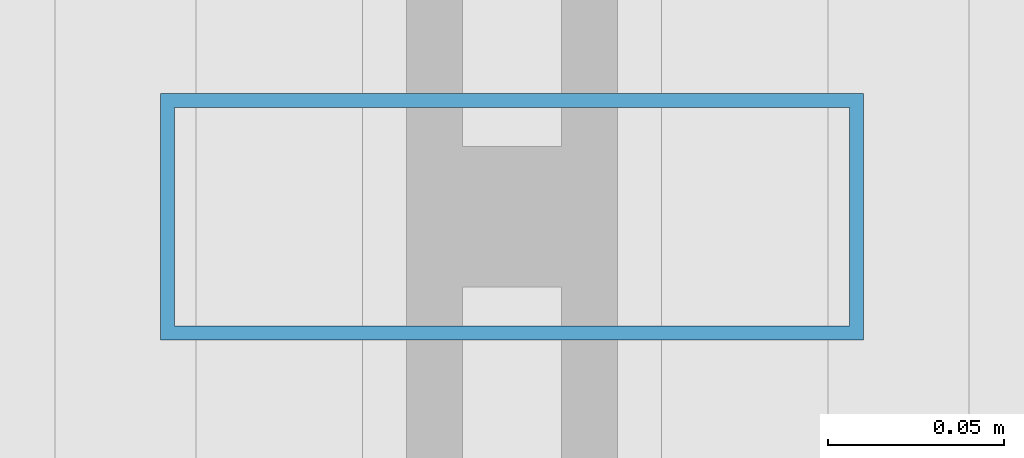
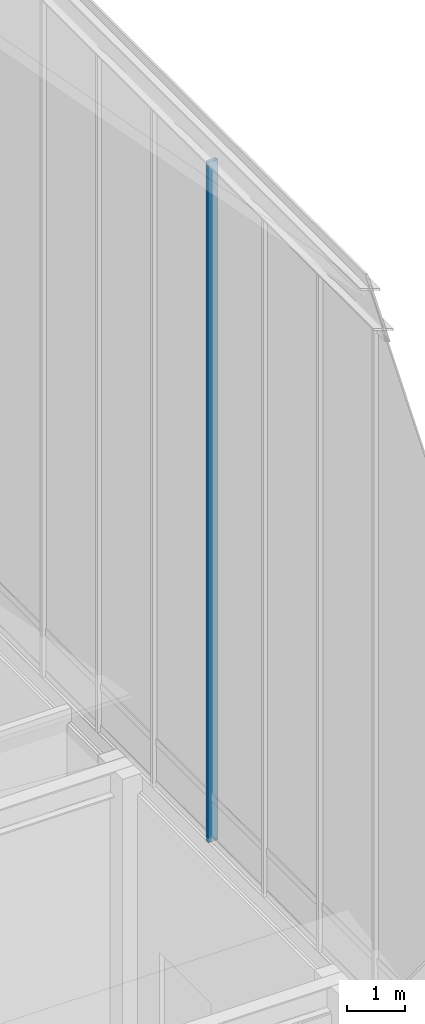
# One storey, part 35 of 49: 1 member, 1 element without a shape of its own.
"""IFC4 building model written with IfcOpenShell, lengths in metres."""

import ifcopenshell
import ifcopenshell.guid

model = None  # the IFC model being written
_history = None  # IfcOwnerHistory: only IFC2X3 demands one
_inside = {}  # id of a spatial element -> (the spatial element, [elements in it])
_under = {}  # id of a project, library or spatial element -> (it, [spatial elements below it])
_declared = {}  # id of a project -> (the project, [libraries it declares])
_typed = {}  # id of a type object -> (the type object, [elements of that type])
_made_of = {}  # id of a material, layer set ... -> (it, [elements and type objects made of it])


def new_model(schema):
    """Start an empty IFC model of exactly this schema.

    Asked for "IFC4X3", IfcOpenShell would pick the latest addendum, in which some entities
    have other attributes; the version numbers below select the first issue.
    IFC2X3 requires an IfcOwnerHistory on every rooted entity: one is made here for all.
    """
    global model, _history
    if schema == "IFC4X3":
        model = ifcopenshell.file(schema_version=(4, 3, 0, 0))
    else:
        model = ifcopenshell.file(schema=schema)
    _inside.clear()
    _under.clear()
    _declared.clear()
    _typed.clear()
    _made_of.clear()
    _history = None
    if model.schema == "IFC2X3":
        org = make("IfcOrganization", Name="unknown")
        user = make(
            "IfcPersonAndOrganization",
            ThePerson=make("IfcPerson", FamilyName="unknown"),
            TheOrganization=org,
        )
        app = make(
            "IfcApplication",
            ApplicationDeveloper=org,
            Version="unknown",
            ApplicationFullName="unknown",
            ApplicationIdentifier="unknown",
        )
        _history = make(
            "IfcOwnerHistory",
            OwningUser=user,
            OwningApplication=app,
            ChangeAction="ADDED",
            CreationDate=0,
        )
    return model


def make(cls, **values):
    """One entity of the class cls with the attributes given. An attribute that is None is left unset."""
    return model.create_entity(
        cls, **{name: value for name, value in values.items() if value is not None}
    )


def rooted(cls, **values):
    """An entity with a GlobalId (a new one), such as an element, a storey or a relation."""
    return make(cls, GlobalId=ifcopenshell.guid.new(), OwnerHistory=_history, **values)


def si_unit(unit_type, name, prefix=None):
    """IfcSIUnit, for example si_unit("LENGTHUNIT", "METRE", prefix="MILLI")."""
    return make("IfcSIUnit", UnitType=unit_type, Prefix=prefix, Name=name)


def assignment(units):
    """IfcUnitAssignment: the units of a project."""
    return None if units is None else make("IfcUnitAssignment", Units=units)


def point(xyz):
    """IfcCartesianPoint."""
    return None if xyz is None else make("IfcCartesianPoint", Coordinates=xyz)


def direction(xyz):
    """IfcDirection."""
    return None if xyz is None else make("IfcDirection", DirectionRatios=xyz)


def frame(location, z_axis=None, x_axis=None):
    """IfcAxis2Placement3D, a coordinate frame: its origin and axes. An axis left out is left unset."""
    return make(
        "IfcAxis2Placement3D",
        Location=point(location),
        Axis=direction(z_axis),
        RefDirection=direction(x_axis),
    )


def frame_2d(location, x_axis=None):
    """IfcAxis2Placement2D, a coordinate frame in the plane: its origin and x axis."""
    return make(
        "IfcAxis2Placement2D", Location=point(location), RefDirection=direction(x_axis)
    )


def origin():
    """The frame at (0, 0, 0) with its axes left unset."""
    return frame((0.0, 0.0, 0.0))


def origin_2d():
    """The frame at (0, 0) in the plane with its x axis left unset."""
    return frame_2d((0.0, 0.0))


def place(relative_to, where):
    """IfcLocalPlacement: puts the frame where relative to a parent placement (None: the world)."""
    return make(
        "IfcLocalPlacement", PlacementRelTo=relative_to, RelativePlacement=where
    )


def context(
    kind, dimensions, precision=None, world=None, true_north=None, identifier=None
):
    """IfcGeometricRepresentationContext, for example the 3D "Model" context."""
    return make(
        "IfcGeometricRepresentationContext",
        ContextIdentifier=identifier,
        ContextType=kind,
        CoordinateSpaceDimension=dimensions,
        Precision=precision,
        WorldCoordinateSystem=world,
        TrueNorth=true_north,
    )


def subcontext(parent, identifier, kind, view, scale=None):
    """IfcGeometricRepresentationSubContext, for example "Body" below "Model"."""
    return make(
        "IfcGeometricRepresentationSubContext",
        ContextIdentifier=identifier,
        ContextType=kind,
        ParentContext=parent,
        TargetScale=scale,
        TargetView=view,
    )


def project(units=None, contexts=None):
    """IfcProject with its units and contexts."""
    return rooted(
        "IfcProject",
        Name="project",
        RepresentationContexts=contexts,
        UnitsInContext=assignment(units),
    )


def spatial(cls, under=None, at=None, **own):
    """A site, building, storey or space (cls), placed at a placement, below another one or the project."""
    s = rooted(cls, ObjectPlacement=at, **own)
    if under is not None:
        _under.setdefault(under.id(), (under, []))[1].append(s)
    return s


def profile(cls, at=None, kind="AREA", **sizes):
    """A parametric profile (cls). Its sizes go by their IFC names, for example OverallWidth=200.0."""
    return make(cls, ProfileType=kind, Position=at, **sizes)


def hollow_rectangle(**sizes):
    """IfcRectangleHollowProfileDef."""
    return profile("IfcRectangleHollowProfileDef", **sizes)


def extrude(swept, where, along, depth):
    """IfcExtrudedAreaSolid: the profile swept, set in the frame where, extruded along a direction by depth."""
    return make(
        "IfcExtrudedAreaSolid",
        SweptArea=swept,
        Position=where,
        ExtrudedDirection=direction(along),
        Depth=depth,
    )


def shape(context_of_items, identifier, shape_type, items):
    """IfcShapeRepresentation: the items that make up one representation, for example the "Body"."""
    return make(
        "IfcShapeRepresentation",
        ContextOfItems=context_of_items,
        RepresentationIdentifier=identifier,
        RepresentationType=shape_type,
        Items=items,
    )


def source(mapping_origin, context_of_items, identifier, shape_type, items):
    """IfcRepresentationMap: a shape defined once, which mapped items show again and again."""
    return make(
        "IfcRepresentationMap",
        MappingOrigin=mapping_origin,
        MappedRepresentation=shape(context_of_items, identifier, shape_type, items),
    )


def transform(
    local_origin,
    x_axis=None,
    y_axis=None,
    z_axis=None,
    scale=None,
    scale2=None,
    scale3=None,
    uniform=True,
):
    """IfcCartesianTransformationOperator3D, or its non-uniform kind. x_axis, y_axis, z_axis: its Axis1, 2, 3."""
    if uniform:
        return make(
            "IfcCartesianTransformationOperator3D",
            Axis1=direction(x_axis),
            Axis2=direction(y_axis),
            LocalOrigin=point(local_origin),
            Scale=scale,
            Axis3=direction(z_axis),
        )
    return make(
        "IfcCartesianTransformationOperator3DnonUniform",
        Axis1=direction(x_axis),
        Axis2=direction(y_axis),
        LocalOrigin=point(local_origin),
        Scale=scale,
        Axis3=direction(z_axis),
        Scale2=scale2,
        Scale3=scale3,
    )


def mapped(mapping_source, mapping_target):
    """IfcMappedItem: shows the shape of a source again, moved by a transform."""
    return make(
        "IfcMappedItem", MappingSource=mapping_source, MappingTarget=mapping_target
    )


def material(Name=None, Category=None):
    """IfcMaterial."""
    return make("IfcMaterial", Name=Name, Category=Category)


def layer(
    of_material, thickness, ventilated=None, Name=None, Category=None, Priority=None
):
    """IfcMaterialLayer: one layer of a wall or slab, of a material (None: an air gap)."""
    return make(
        "IfcMaterialLayer",
        Material=of_material,
        LayerThickness=thickness,
        IsVentilated=ventilated,
        Name=Name,
        Category=Category,
        Priority=Priority,
    )


def layer_set(layers, Name=None):
    """IfcMaterialLayerSet."""
    return make("IfcMaterialLayerSet", MaterialLayers=layers, LayerSetName=Name)


def material_profile(
    of_material, cross_section, Name=None, Category=None, Priority=None
):
    """IfcMaterialProfile: a cross section and its material."""
    return make(
        "IfcMaterialProfile",
        Name=Name,
        Material=of_material,
        Profile=cross_section,
        Priority=Priority,
        Category=Category,
    )


def profile_set(profiles, Name=None, composite=None):
    """IfcMaterialProfileSet."""
    return make(
        "IfcMaterialProfileSet",
        Name=Name,
        MaterialProfiles=profiles,
        CompositeProfile=composite,
    )


def made_of(thing, what):
    """Note that an element or type object is made of a material, layer set ...; save() writes the relation."""
    if what is not None:
        _made_of.setdefault(what.id(), (what, []))[1].append(thing)
    return thing


def type_object(cls, material=None, **own):
    """A type object (cls), such as IfcWallType, which elements share."""
    return made_of(rooted(cls, **own), material)


def element(
    cls,
    number,
    at=None,
    inside=None,
    cuts=None,
    type_object=None,
    material=None,
    context=None,
    identifier="Body",
    shape_type=None,
    held_by="IfcProductDefinitionShape",
    body=None,
    shapes=None,
    **own,
):
    """One element of the class cls, such as IfcWall. Its Tag is "e" and its number.

    at: its placement. inside: the storey or other place that contains it. cuts: it is an
    opening in that element (IfcRelVoidsElement). A single representation is given by context,
    identifier, shape_type and body (its items); several are given by shapes. held_by: the class
    of the entity that holds the representations. save() writes the other relations.
    """
    e = rooted(cls, Tag="e%d" % number, ObjectPlacement=at, **own)
    if body is not None:
        shapes = [shape(context, identifier, shape_type, body)]
    if shapes is not None:
        e.Representation = make(held_by, Representations=shapes)
    if inside is not None:
        _inside.setdefault(inside.id(), (inside, []))[1].append(e)
    if cuts is not None:
        rooted(
            "IfcRelVoidsElement", RelatingBuildingElement=cuts, RelatedOpeningElement=e
        )
    if type_object is not None:
        _typed.setdefault(type_object.id(), (type_object, []))[1].append(e)
    return made_of(e, material)


def aggregate(whole, parts):
    """IfcRelAggregates: a whole, such as a stair, and the parts it consists of."""
    return rooted("IfcRelAggregates", RelatingObject=whole, RelatedObjects=parts)


def save(model, path):
    """Write the relations noted so far, then the file.

    IfcRelAggregates (storeys below a building ...), IfcRelContainedInSpatialStructure (elements
    in a storey), IfcRelDefinesByType, IfcRelAssociatesMaterial and IfcRelDeclares: one each for
    every whole, place, type object, material and project.
    """
    for whole, parts in _under.values():
        aggregate(whole, parts)
    for where, things in _inside.values():
        rooted(
            "IfcRelContainedInSpatialStructure",
            RelatedElements=things,
            RelatingStructure=where,
        )
    for kind, things in _typed.values():
        rooted("IfcRelDefinesByType", RelatedObjects=things, RelatingType=kind)
    for what, things in _made_of.values():
        rooted("IfcRelAssociatesMaterial", RelatedObjects=things, RelatingMaterial=what)
    for by, libraries in _declared.values():
        rooted("IfcRelDeclares", RelatingContext=by, RelatedDefinitions=libraries)
    model.write(path)


model = new_model("IFC4")

# Units and contexts
model_context = context("Model", 3, precision=1e-05, world=origin(), true_north=direction((0.0, 1.0)))
body_context = subcontext(model_context, "Body", "Model", "MODEL_VIEW")
ifc_project = project(units=[si_unit("LENGTHUNIT", "METRE"), si_unit("AREAUNIT", "SQUARE_METRE"), si_unit("VOLUMEUNIT", "CUBIC_METRE"), si_unit("PLANEANGLEUNIT", "RADIAN"), si_unit("MASSUNIT", "GRAM", prefix="KILO")], contexts=[model_context])

# Site, building, storey
site_placement = place(None, origin())
site = spatial("IfcSite", under=ifc_project, at=site_placement, CompositionType="ELEMENT")
building_placement = place(site_placement, origin())
building = spatial("IfcBuilding", under=site, at=building_placement, Name="Kaliganga Portal Commons", CompositionType="ELEMENT")
storey_placement = place(building_placement, frame((0.0, 0.0, 298.0)))
storey = spatial("IfcBuildingStorey", under=building, at=storey_placement, Name="L77", CompositionType="ELEMENT", Elevation=298.0)

# Curtain wall, member
ifc_material_1 = material(Name="Anodized Aluminium and Laminated Low-E Glass", Category="aluminium")
ifc_layer = layer(ifc_material_1, 0.25)
ifc_layer_set = layer_set([ifc_layer], Name="Anodized Aluminium and Laminated Low-E Glass")
curtain_wall_type = type_object("IfcCurtainWallType", Name="CW-SYS-06", PredefinedType="NOTDEFINED", material=ifc_layer_set)
curtain_wall_placement = place(storey_placement, origin())
curtain_wall = element("IfcCurtainWall", 1, at=curtain_wall_placement, inside=storey, type_object=curtain_wall_type, Name="CW 06 L77 E", PredefinedType="NOTDEFINED")
ifc_material_2 = material(Name="Dark Bronze Anodized Aluminium", Category="aluminium")
ifc_material_profile = material_profile(ifc_material_2, hollow_rectangle(XDim=0.070068359375, YDim=0.199951171875, WallThickness=0.00390625, at=origin_2d()), Name="ALU MULL 70x200x4")
ifc_profile_set = profile_set([ifc_material_profile], Name="Dark Bronze Anodized Aluminium")
member_type = type_object("IfcMemberType", Name="CW-MUL-220", PredefinedType="MULLION", material=ifc_profile_set)
shared_shape = source(origin(), body_context, "Body", "SweptSolid", [
    extrude(hollow_rectangle(XDim=0.070068359375, YDim=0.199951171875, WallThickness=0.00390625, at=origin_2d()), origin(), (0.0, 0.0, 1.0), 14.39990234375),
])
member_placement = place(storey_placement, frame((46.800048828125, 33.359130859375, 6.0), z_axis=(0.0, 0.0, 1.0), x_axis=(0.0, 1.0, 0.0)))
member = element("IfcMember", 2, at=member_placement, type_object=member_type, Name="CW:06:L77:E Mullion 06", PredefinedType="MULLION", context=body_context, shape_type="MappedRepresentation", body=[
    mapped(shared_shape, transform((0.0, 0.0, 0.0), x_axis=(1.0, 0.0, 0.0), y_axis=(0.0, 1.0, 0.0), z_axis=(0.0, 0.0, 1.0), scale=1.0)),
])
aggregate(curtain_wall, [member])

save(model, "model.ifc")
